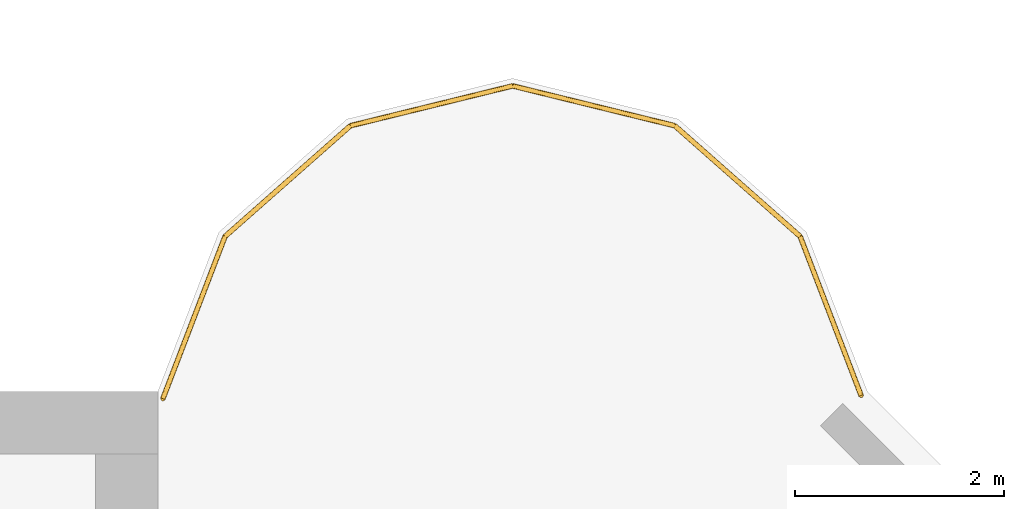
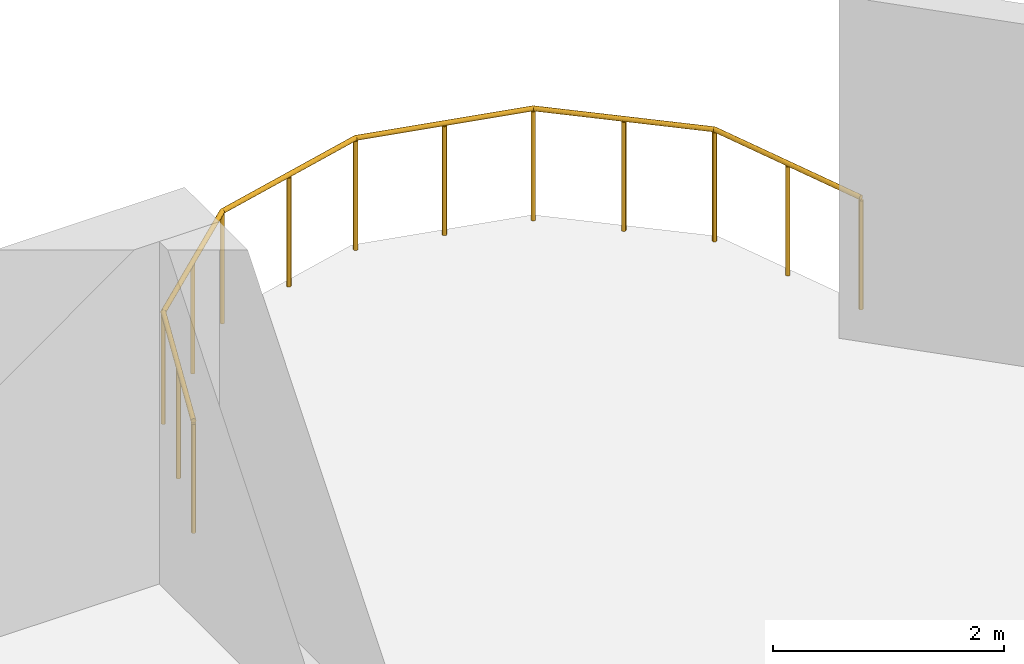
# One storey, part 11 of 12: 1 railing.
"""IFC4 building model written with IfcOpenShell, lengths in metres."""

from ifc_helpers import new_model, si_unit, direction, frame, origin, origin_2d, place, context, subcontext, project, spatial, circle, extrude, source, transform, mapped, material, type_object, element, save


model = new_model("IFC4")

# Units and contexts
model_context = context("Model", 3, precision=1e-05, world=origin(), true_north=direction((0.0, 1.0)))
body_context = subcontext(model_context, "Body", "Model", "MODEL_VIEW")
ifc_project = project(units=[si_unit("LENGTHUNIT", "METRE"), si_unit("AREAUNIT", "SQUARE_METRE"), si_unit("VOLUMEUNIT", "CUBIC_METRE"), si_unit("PLANEANGLEUNIT", "RADIAN"), si_unit("MASSUNIT", "GRAM", prefix="KILO")], contexts=[model_context])

# Site, building, storey
site_placement = place(None, origin())
site = spatial("IfcSite", under=ifc_project, at=site_placement, CompositionType="ELEMENT")
building_placement = place(site_placement, origin())
building = spatial("IfcBuilding", under=site, at=building_placement, Name="Vanashikhar Sky Hotel", CompositionType="ELEMENT")
storey_placement = place(building_placement, frame((0.0, 0.0, 253.0)))
storey = spatial("IfcBuildingStorey", under=building, at=storey_placement, Name="L61", CompositionType="ELEMENT", Elevation=253.0)

# Railing
ifc_material = material(Name="Stainless steel 316", Category="steel")
railing_type = type_object("IfcRailingType", Name="Refuge terrace guard 1200", PredefinedType="GUARDRAIL", material=ifc_material)
shared_shape = source(origin(), body_context, "Body", "SweptSolid", [
    extrude(circle(Radius=0.02392578125, at=origin_2d()), frame((0.0, 0.0, 1.17578125), z_axis=(-0.357766549327, 0.933811060216, 0.0), x_axis=(-0.933811060216, -0.357766549327, 0.0)), (0.0, 0.0, 1.0), 1.633056640625),
    extrude(circle(Radius=0.02392578125, at=origin_2d()), frame((-0.584228515625, 1.52490234375, 1.17578125), z_axis=(-0.749699987355, 0.661777854692, 0.0), x_axis=(-0.661777854692, -0.749699987355, 0.0)), (0.0, 0.0, 1.0), 1.602294921875),
    extrude(circle(Radius=0.02392578125, at=origin_2d()), frame((-1.785400390625, 2.585205078125, 1.17578125), z_axis=(-0.971138901218, 0.238514642196, 0.0), x_axis=(-0.238514642196, -0.971138901218, 0.0)), (0.0, 0.0, 1.0), 1.600830078125),
    extrude(circle(Radius=0.02392578125, at=origin_2d()), frame((-3.340087890625, 2.967041015625, 1.17578125), z_axis=(-0.971138901218, -0.238514642196, 0.0), x_axis=(0.238514642196, -0.971138901218, 0.0)), (0.0, 0.0, 1.0), 1.600830078125),
    extrude(circle(Radius=0.02392578125, at=origin_2d()), frame((-4.894775390625, 2.585205078125, 1.17578125), z_axis=(-0.749699987355, -0.661777854692, 0.0), x_axis=(0.661777854692, -0.749699987355, 0.0)), (0.0, 0.0, 1.0), 1.602294921875),
    extrude(circle(Radius=0.02392578125, at=origin_2d()), frame((-6.095947265625, 1.52490234375, 1.17578125), z_axis=(-0.357682612009, -0.933843214392, 0.0), x_axis=(0.933843214392, -0.357682612009, 0.0)), (0.0, 0.0, 1.0), 1.666015625),
    extrude(circle(Radius=0.02099609375, at=origin_2d()), origin(), (0.0, 0.0, 1.0), 1.15185546875),
    extrude(circle(Radius=0.02099609375, at=origin_2d()), frame((-0.2919921875, 0.762451171875, 0.0)), (0.0, 0.0, 1.0), 1.15185546875),
    extrude(circle(Radius=0.02099609375, at=origin_2d()), frame((-0.584228515625, 1.52490234375, 0.0)), (0.0, 0.0, 1.0), 1.15185546875),
    extrude(circle(Radius=0.02099609375, at=origin_2d()), frame((-1.184814453125, 2.05517578125, 0.0)), (0.0, 0.0, 1.0), 1.15185546875),
    extrude(circle(Radius=0.02099609375, at=origin_2d()), frame((-1.785400390625, 2.585205078125, 0.0)), (0.0, 0.0, 1.0), 1.15185546875),
    extrude(circle(Radius=0.02099609375, at=origin_2d()), frame((-2.562744140625, 2.776123046875, 0.0)), (0.0, 0.0, 1.0), 1.15185546875),
    extrude(circle(Radius=0.02099609375, at=origin_2d()), frame((-3.340087890625, 2.967041015625, 0.0)), (0.0, 0.0, 1.0), 1.15185546875),
    extrude(circle(Radius=0.02099609375, at=origin_2d()), frame((-4.117431640625, 2.776123046875, 0.0)), (0.0, 0.0, 1.0), 1.15185546875),
    extrude(circle(Radius=0.02099609375, at=origin_2d()), frame((-4.894775390625, 2.585205078125, 0.0)), (0.0, 0.0, 1.0), 1.15185546875),
    extrude(circle(Radius=0.02099609375, at=origin_2d()), frame((-5.495361328125, 2.05517578125, 0.0)), (0.0, 0.0, 1.0), 1.15185546875),
    extrude(circle(Radius=0.02099609375, at=origin_2d()), frame((-6.095947265625, 1.52490234375, 0.0)), (0.0, 0.0, 1.0), 1.15185546875),
    extrude(circle(Radius=0.02099609375, at=origin_2d()), frame((-6.39404296875, 0.7470703125, 0.0)), (0.0, 0.0, 1.0), 1.15185546875),
    extrude(circle(Radius=0.02099609375, at=origin_2d()), frame((-6.69189453125, -0.031005859375, 0.0)), (0.0, 0.0, 1.0), 1.15185546875),
])
railing_placement = place(storey_placement, frame((82.340087890625, 41.9609375, 0.0)))
element("IfcRailing", 1, at=railing_placement, inside=storey, type_object=railing_type, Name="Refuge terrace guard", PredefinedType="GUARDRAIL", context=body_context, shape_type="MappedRepresentation", body=[
    mapped(shared_shape, transform((0.0, 0.0, 0.0), scale=1.0)),
])

save(model, "model.ifc")
